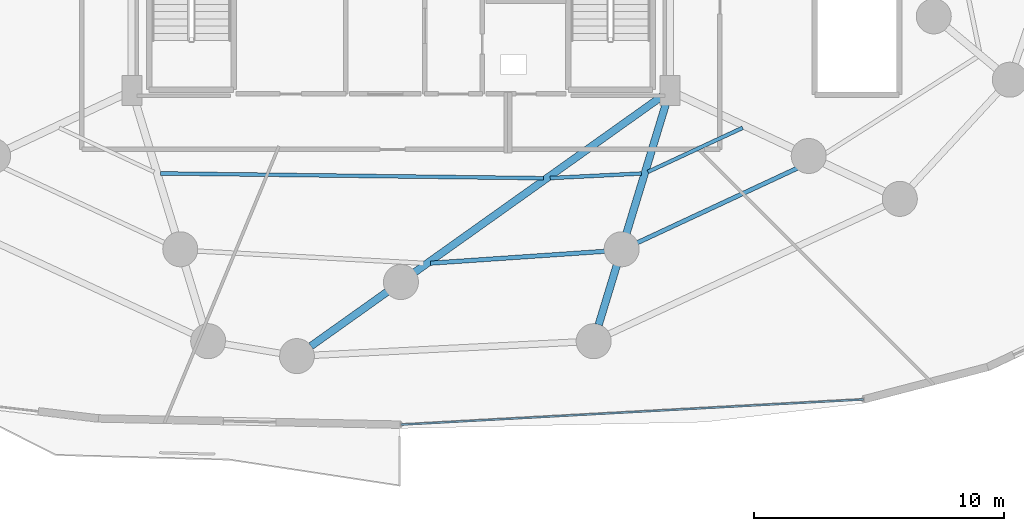
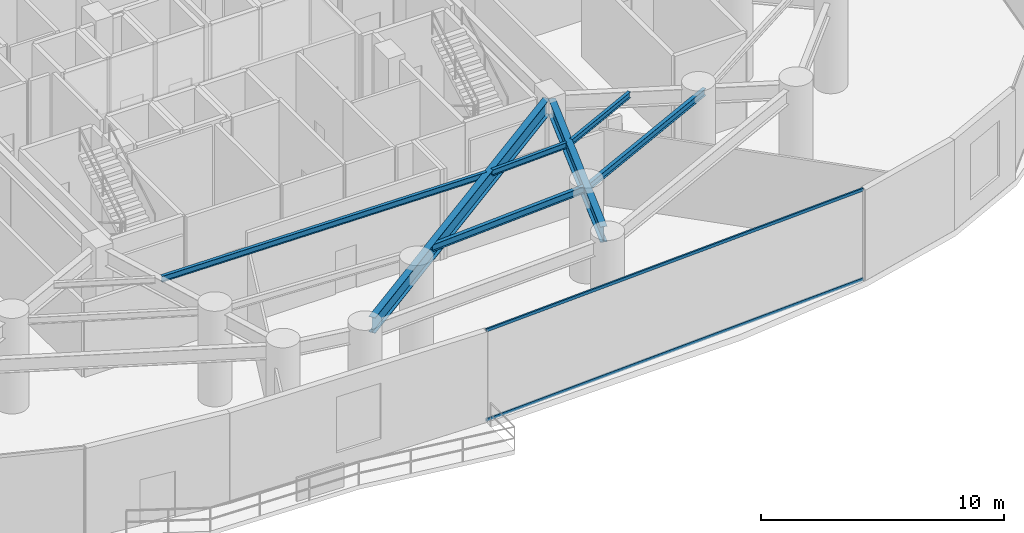
# One storey, part 10 of 32: 7 beams, 2 members, 1 element without a shape of its own.
"""IFC4 building model written with IfcOpenShell, lengths in metres."""

from ifc_helpers import new_model, si_unit, direction, frame, origin, origin_2d, place, context, subcontext, project, spatial, hollow_rectangle, i_section, extrude, material, material_profile, profile_set, type_object, element, aggregate, save


model = new_model("IFC4")

# Units and contexts
model_context = context("Model", 3, precision=1e-05, world=origin(), true_north=direction((0.0, 1.0)))
body_context = subcontext(model_context, "Body", "Model", "MODEL_VIEW")
ifc_project = project(units=[si_unit("LENGTHUNIT", "METRE"), si_unit("AREAUNIT", "SQUARE_METRE"), si_unit("VOLUMEUNIT", "CUBIC_METRE"), si_unit("PLANEANGLEUNIT", "RADIAN"), si_unit("MASSUNIT", "GRAM", prefix="KILO")], contexts=[model_context])

# Site, building, storey
site_placement = place(None, origin())
site = spatial("IfcSite", under=ifc_project, at=site_placement, CompositionType="ELEMENT")
building_placement = place(site_placement, origin())
building = spatial("IfcBuilding", under=site, at=building_placement, Name="Vorneva Point Tower", CompositionType="ELEMENT")
storey_placement = place(building_placement, frame((0.0, 0.0, 19.199951171875)))
storey = spatial("IfcBuildingStorey", under=building, at=storey_placement, Name="L04", CompositionType="ELEMENT", Elevation=19.199951171875)

# Beams
ifc_material_1 = material(Name="Steel S355", Category="steel")
ifc_material_profile_1 = material_profile(ifc_material_1, i_section(OverallWidth=0.300048828125, OverallDepth=0.7880859375, WebThickness=0.014404296875, FlangeThickness=0.02197265625, at=origin_2d()), Name="80Sh1")
ifc_profile_set_1 = profile_set([ifc_material_profile_1], Name="Steel S355")
beam_type_1 = type_object("IfcBeamType", Name="BM-GRD-80Sh1", PredefinedType="USERDEFINED", material=ifc_profile_set_1)
beam_1_placement = place(storey_placement, frame((34.40087890625, 6.23876953125, 4.14599609375), z_axis=(0.814753215517, 0.579807897328, 0.0), x_axis=(-0.579807897328, 0.814753215517, 0.0)))
element("IfcBeam", 1, at=beam_1_placement, inside=storey, type_object=beam_type_1, Name="L04 Radial Primary Girder 13", ObjectType="GIRDER", PredefinedType="USERDEFINED", context=body_context, shape_type="SweptSolid", body=[
    extrude(i_section(OverallWidth=0.300048828125, OverallDepth=0.7880859375, WebThickness=0.014404296875, FlangeThickness=0.02197265625, at=origin_2d()), origin(), (0.0, 0.0, 1.0), 17.271484375),
])
beam_2_placement = place(storey_placement, frame((45.9033203125, 7.093505859375, 4.14599609375), z_axis=(0.291056642682, 0.956705822471, 0.0), x_axis=(-0.956705822471, 0.291056642682, 0.0)))
element("IfcBeam", 2, at=beam_2_placement, inside=storey, type_object=beam_type_1, Name="L04 Radial Primary Girder 14", ObjectType="GIRDER", PredefinedType="USERDEFINED", context=body_context, shape_type="SweptSolid", body=[
    extrude(i_section(OverallWidth=0.300048828125, OverallDepth=0.7880859375, WebThickness=0.014404296875, FlangeThickness=0.02197265625, at=origin_2d()), origin(), (0.0, 0.0, 1.0), 9.43994140625),
])
ifc_material_profile_2 = material_profile(ifc_material_1, i_section(OverallWidth=0.14892578125, OverallDepth=0.298095703125, WebThickness=0.005615234375, FlangeThickness=0.008056640625, at=origin_2d()), Name="30B1")
ifc_profile_set_2 = profile_set([ifc_material_profile_2], Name="Steel S355")
beam_type_2 = type_object("IfcBeamType", Name="BM-JST-30B1", PredefinedType="JOIST", material=ifc_profile_set_2)
beam_3_placement = place(storey_placement, frame((28.393798828125, 13.142578125, 4.39111328125), z_axis=(0.999920730622, -0.012590967881, 0.0), x_axis=(0.012590967881, 0.999920730622, 0.0)))
element("IfcBeam", 3, at=beam_3_placement, inside=storey, type_object=beam_type_2, Name="L04 Secondary Floor Beam 2.12", PredefinedType="JOIST", context=body_context, shape_type="SweptSolid", body=[
    extrude(i_section(OverallWidth=0.14892578125, OverallDepth=0.298095703125, WebThickness=0.005615234375, FlangeThickness=0.008056640625, at=origin_2d()), origin(), (0.0, 0.0, 1.0), 15.298828125),
])
beam_4_placement = place(storey_placement, frame((43.967041015625, 12.955078125, 4.39111328125), z_axis=(0.998746819197, 0.050047888505, 0.0), x_axis=(-0.050047888505, 0.998746819197, 0.0)))
element("IfcBeam", 4, at=beam_4_placement, inside=storey, type_object=beam_type_2, Name="L04 Secondary Floor Beam 2.13", PredefinedType="JOIST", context=body_context, shape_type="SweptSolid", body=[
    extrude(i_section(OverallWidth=0.14892578125, OverallDepth=0.298095703125, WebThickness=0.005615234375, FlangeThickness=0.008056640625, at=origin_2d()), origin(), (0.0, 0.0, 1.0), 3.64404296875),
])
beam_5_placement = place(storey_placement, frame((47.869384765625, 13.20263671875, 4.39111328125), z_axis=(0.906770474611, 0.421624603616, 0.0), x_axis=(-0.421624603616, 0.906770474611, 0.0)))
element("IfcBeam", 5, at=beam_5_placement, inside=storey, type_object=beam_type_2, Name="L04 Secondary Floor Beam 2.14", PredefinedType="JOIST", context=body_context, shape_type="SweptSolid", body=[
    extrude(i_section(OverallWidth=0.14892578125, OverallDepth=0.298095703125, WebThickness=0.005615234375, FlangeThickness=0.008056640625, at=origin_2d()), origin(), (0.0, 0.0, 1.0), 4.177734375),
])
ifc_material_profile_3 = material_profile(ifc_material_1, i_section(OverallWidth=0.174072265625, OverallDepth=0.345947265625, WebThickness=0.006103515625, FlangeThickness=0.009033203125, at=origin_2d()), Name="35B1")
ifc_profile_set_3 = profile_set([ifc_material_profile_3], Name="Steel S355")
beam_type_3 = type_object("IfcBeamType", Name="BM-SEC-35B1", PredefinedType="BEAM", material=ifc_profile_set_3)
beam_6_placement = place(storey_placement, frame((39.182373046875, 9.552978515625, 4.366943359375), z_axis=(0.997678724256, 0.068096719208, 0.0), x_axis=(-0.068096719208, 0.997678724256, 0.0)))
element("IfcBeam", 6, at=beam_6_placement, inside=storey, type_object=beam_type_3, Name="L04 Secondary Floor Beam 1.13", PredefinedType="BEAM", context=body_context, shape_type="SweptSolid", body=[
    extrude(i_section(OverallWidth=0.174072265625, OverallDepth=0.345947265625, WebThickness=0.006103515625, FlangeThickness=0.009033203125, at=origin_2d()), origin(), (0.0, 0.0, 1.0), 7.50732421875),
])
beam_7_placement = place(storey_placement, frame((46.935302734375, 10.132080078125, 4.366943359375), z_axis=(0.906389479808, 0.422443026802, 0.0), x_axis=(-0.422443026802, 0.906389479808, 0.0)))
element("IfcBeam", 7, at=beam_7_placement, inside=storey, type_object=beam_type_3, Name="L04 Secondary Floor Beam 1.14", PredefinedType="BEAM", context=body_context, shape_type="SweptSolid", body=[
    extrude(i_section(OverallWidth=0.174072265625, OverallDepth=0.345947265625, WebThickness=0.006103515625, FlangeThickness=0.009033203125, at=origin_2d()), origin(), (0.0, 0.0, 1.0), 8.308349609375),
])

# Curtain wall, members
ifc_material_2 = material(Name="Pale anodised aluminium", Category="aluminium")
curtain_wall_type = type_object("IfcCurtainWallType", Name="CW-POD-SYS", PredefinedType="NOTDEFINED", material=ifc_material_2)
curtain_wall_placement = place(storey_placement, origin())
curtain_wall = element("IfcCurtainWall", 8, at=curtain_wall_placement, inside=storey, type_object=curtain_wall_type, Name="L04 Unitised Curtain Wall CW-L04-R04", PredefinedType="NOTDEFINED")
ifc_material_profile_4 = material_profile(ifc_material_2, hollow_rectangle(XDim=0.074951171875, YDim=0.14990234375, WallThickness=0.00390625, at=origin_2d()), Name="AL-TRN 150x75x4")
ifc_profile_set_4 = profile_set([ifc_material_profile_4], Name="Pale anodised aluminium")
member_type = type_object("IfcMemberType", Name="CW-TRN-150", PredefinedType="USERDEFINED", material=ifc_profile_set_4)
member_1_placement = place(storey_placement, frame((38.0, 3.0986328125, 0.02001953125), z_axis=(0.998514494786, 0.054486729604, 0.0), x_axis=(-0.054486729604, 0.998514494786, 0.0)))
member_1 = element("IfcMember", 9, at=member_1_placement, type_object=member_type, Name="CW-L04-R04 Transom 01.1", ObjectType="TRANSOM", PredefinedType="USERDEFINED", context=body_context, shape_type="SweptSolid", body=[
    extrude(hollow_rectangle(XDim=0.074951171875, YDim=0.14990234375, WallThickness=0.00390625, at=origin_2d()), origin(), (0.0, 0.0, 1.0), 18.510009765625),
])
member_2_placement = place(storey_placement, frame((38.0, 3.0986328125, 4.52001953125), z_axis=(0.998514494786, 0.054486729604, 0.0), x_axis=(-0.054486729604, 0.998514494786, 0.0)))
member_2 = element("IfcMember", 10, at=member_2_placement, type_object=member_type, Name="CW-L04-R04 Transom 01.2", ObjectType="TRANSOM", PredefinedType="USERDEFINED", context=body_context, shape_type="SweptSolid", body=[
    extrude(hollow_rectangle(XDim=0.074951171875, YDim=0.14990234375, WallThickness=0.00390625, at=origin_2d()), origin(), (0.0, 0.0, 1.0), 18.510009765625),
])
aggregate(curtain_wall, [member_1, member_2])

save(model, "model.ifc")
